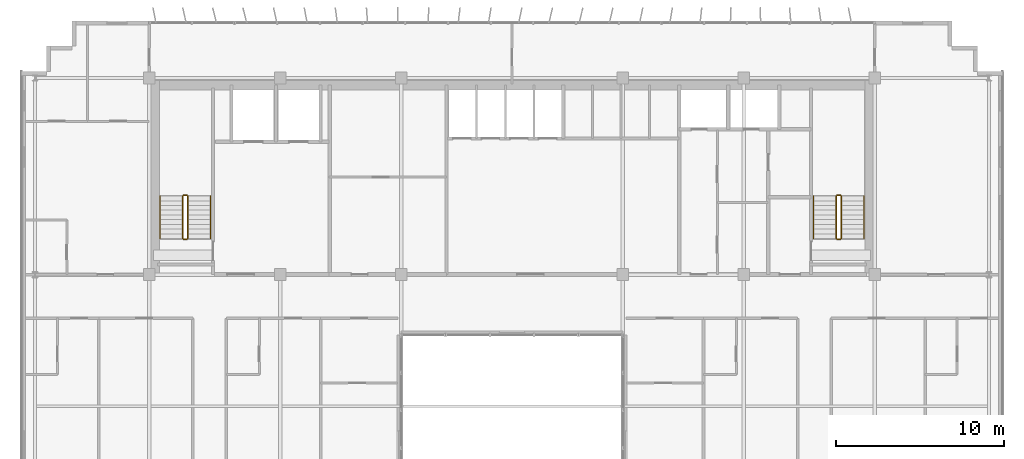
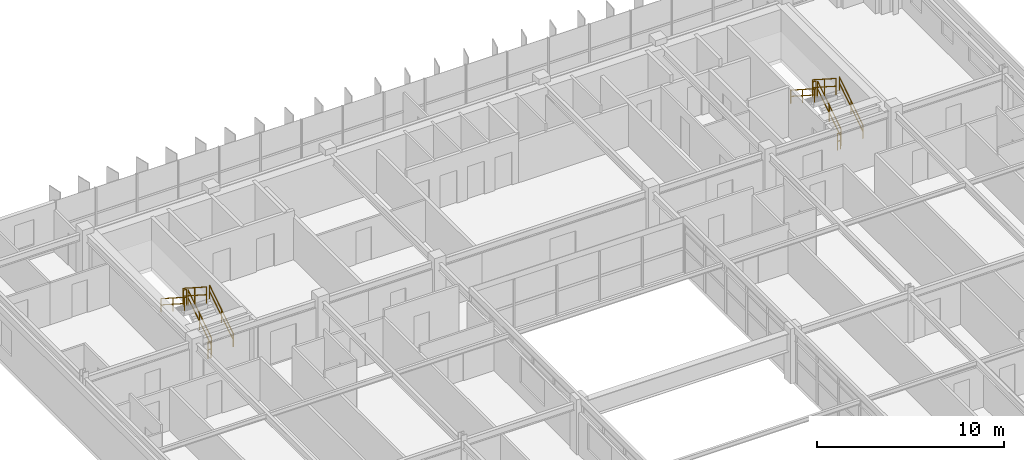
# One storey, part 37 of 37: 12 railings.
"""IFC4 building model written with IfcOpenShell, lengths in metres."""

from ifc_helpers import new_model, si_unit, direction, frame, origin, origin_2d, place, context, subcontext, project, spatial, rectangle, extrude, material, type_object, element, save


model = new_model("IFC4")

# Units and contexts
model_context = context("Model", 3, precision=1e-05, world=origin(), true_north=direction((0.0, 1.0)))
body_context = subcontext(model_context, "Body", "Model", "MODEL_VIEW")
ifc_project = project(units=[si_unit("LENGTHUNIT", "METRE"), si_unit("AREAUNIT", "SQUARE_METRE"), si_unit("VOLUMEUNIT", "CUBIC_METRE"), si_unit("PLANEANGLEUNIT", "RADIAN"), si_unit("MASSUNIT", "GRAM", prefix="KILO")], contexts=[model_context])

# Site, building, storey
site_placement = place(None, origin())
site = spatial("IfcSite", under=ifc_project, at=site_placement, CompositionType="ELEMENT")
building_placement = place(site_placement, origin())
building = spatial("IfcBuilding", under=site, at=building_placement, Name="Trelvane Seafront Commons", CompositionType="ELEMENT")
storey_placement = place(building_placement, frame((0.0, 0.0, 201.300048828125)))
storey = spatial("IfcBuildingStorey", under=building, at=storey_placement, Name="L52", CompositionType="ELEMENT", Elevation=201.300048828125)

# Railings
ifc_material = material(Name="Stainless steel balustrade", Category="steel")
railing_type_1 = type_object("IfcRailingType", Name="ARCH-SRL-GUARD", PredefinedType="GUARDRAIL", material=ifc_material)
railing_1_placement = place(storey_placement, frame((17.89990234375, 35.550048828125, 0.179931640625)))
element("IfcRailing", 1, at=railing_1_placement, inside=storey, type_object=railing_type_1, Name="L52 ST-1 stair guard 1", PredefinedType="GUARDRAIL", context=body_context, shape_type="SweptSolid", body=[
    extrude(rectangle(XDim=0.048095703125, YDim=0.048095703125, at=origin_2d()), frame((0.0, 0.0, 1.076171875), z_axis=(0.0, 0.841162588446, 0.540782303519), x_axis=(-1.0, 0.0, 0.0)), (0.0, 0.0, 1.0), 2.995849609375),
    extrude(rectangle(XDim=0.048095703125, YDim=0.048095703125, at=origin_2d()), frame((0.0, 0.0, 0.572021484375), z_axis=(0.0, 0.841162588446, 0.540782303519), x_axis=(-1.0, 0.0, 0.0)), (0.0, 0.0, 1.0), 2.995849609375),
    extrude(rectangle(XDim=0.0419921875, YDim=0.0419921875, at=origin_2d()), origin(), (0.0, 0.0, 1.0), 1.076171875),
    extrude(rectangle(XDim=0.0419921875, YDim=0.0419921875, at=origin_2d()), frame((0.0, 1.260009765625, 0.81005859375)), (0.0, 0.0, 1.0), 1.076171875),
    extrude(rectangle(XDim=0.0419921875, YDim=0.0419921875, at=origin_2d()), frame((0.0, 2.52001953125, 1.6201171875)), (0.0, 0.0, 1.0), 1.076171875),
])
railing_2_placement = place(storey_placement, frame((17.85009765625, 38.1201171875, 1.800048828125)))
element("IfcRailing", 2, at=railing_2_placement, inside=storey, type_object=railing_type_1, Name="L52 ST-1 stair guard 2", PredefinedType="GUARDRAIL", context=body_context, shape_type="SweptSolid", body=[
    extrude(rectangle(XDim=0.048095703125, YDim=0.048095703125, at=origin_2d()), frame((0.0, 0.0, 1.076171875), z_axis=(-1.0, 0.0, 0.0), x_axis=(0.0, -1.0, 0.0)), (0.0, 0.0, 1.0), 0.2001953125),
    extrude(rectangle(XDim=0.048095703125, YDim=0.048095703125, at=origin_2d()), frame((0.0, 0.0, 0.572021484375), z_axis=(-1.0, 0.0, 0.0), x_axis=(0.0, -1.0, 0.0)), (0.0, 0.0, 1.0), 0.2001953125),
    extrude(rectangle(XDim=0.0419921875, YDim=0.0419921875, at=origin_2d()), origin(), (0.0, 0.0, 1.0), 1.076171875),
    extrude(rectangle(XDim=0.0419921875, YDim=0.0419921875, at=origin_2d()), frame((-0.2001953125, 0.0, 0.0)), (0.0, 0.0, 1.0), 1.076171875),
])
railing_3_placement = place(storey_placement, frame((17.60009765625, 38.070068359375, 1.97998046875)))
element("IfcRailing", 3, at=railing_3_placement, inside=storey, type_object=railing_type_1, Name="L52 ST-1 stair guard 3", PredefinedType="GUARDRAIL", context=body_context, shape_type="SweptSolid", body=[
    extrude(rectangle(XDim=0.048095703125, YDim=0.048095703125, at=origin_2d()), frame((0.0, 0.0, 1.076171875), z_axis=(0.0, -0.841199657755, 0.540724639528), x_axis=(1.0, 0.0, 0.0)), (0.0, 0.0, 1.0), 2.995849609375),
    extrude(rectangle(XDim=0.048095703125, YDim=0.048095703125, at=origin_2d()), frame((0.0, 0.0, 0.572021484375), z_axis=(0.0, -0.841199657755, 0.540724639528), x_axis=(1.0, 0.0, 0.0)), (0.0, 0.0, 1.0), 2.995849609375),
    extrude(rectangle(XDim=0.0419921875, YDim=0.0419921875, at=origin_2d()), origin(), (0.0, 0.0, 1.0), 1.076171875),
    extrude(rectangle(XDim=0.0419921875, YDim=0.0419921875, at=origin_2d()), frame((0.0, -1.260009765625, 0.81005859375)), (0.0, 0.0, 1.0), 1.076171875),
    extrude(rectangle(XDim=0.0419921875, YDim=0.0419921875, at=origin_2d()), frame((0.0, -2.52001953125, 1.619873046875)), (0.0, 0.0, 1.0), 1.076171875),
])
railing_4_placement = place(storey_placement, frame((17.85009765625, 35.5, 0.0)))
element("IfcRailing", 4, at=railing_4_placement, inside=storey, type_object=railing_type_1, Name="L52 ST-1 stair guard 4", PredefinedType="GUARDRAIL", context=body_context, shape_type="SweptSolid", body=[
    extrude(rectangle(XDim=0.048095703125, YDim=0.048095703125, at=origin_2d()), frame((0.0, 0.0, 1.076171875), z_axis=(-1.0, 0.0, 0.0), x_axis=(0.0, -1.0, 0.0)), (0.0, 0.0, 1.0), 0.2001953125),
    extrude(rectangle(XDim=0.048095703125, YDim=0.048095703125, at=origin_2d()), frame((0.0, 0.0, 0.572021484375), z_axis=(-1.0, 0.0, 0.0), x_axis=(0.0, -1.0, 0.0)), (0.0, 0.0, 1.0), 0.2001953125),
    extrude(rectangle(XDim=0.0419921875, YDim=0.0419921875, at=origin_2d()), origin(), (0.0, 0.0, 1.0), 1.076171875),
    extrude(rectangle(XDim=0.0419921875, YDim=0.0419921875, at=origin_2d()), frame((-0.2001953125, 0.0, 0.0)), (0.0, 0.0, 1.0), 1.076171875),
])
railing_5_placement = place(storey_placement, frame((56.800048828125, 35.550048828125, 0.179931640625)))
element("IfcRailing", 5, at=railing_5_placement, inside=storey, type_object=railing_type_1, Name="L52 ST-2 stair guard 1", PredefinedType="GUARDRAIL", context=body_context, shape_type="SweptSolid", body=[
    extrude(rectangle(XDim=0.048095703125, YDim=0.048095703125, at=origin_2d()), frame((0.0, 0.0, 1.076171875), z_axis=(0.0, 0.841162588446, 0.540782303519), x_axis=(-1.0, 0.0, 0.0)), (0.0, 0.0, 1.0), 2.995849609375),
    extrude(rectangle(XDim=0.048095703125, YDim=0.048095703125, at=origin_2d()), frame((0.0, 0.0, 0.572021484375), z_axis=(0.0, 0.841162588446, 0.540782303519), x_axis=(-1.0, 0.0, 0.0)), (0.0, 0.0, 1.0), 2.995849609375),
    extrude(rectangle(XDim=0.0419921875, YDim=0.0419921875, at=origin_2d()), origin(), (0.0, 0.0, 1.0), 1.076171875),
    extrude(rectangle(XDim=0.0419921875, YDim=0.0419921875, at=origin_2d()), frame((0.0, 1.260009765625, 0.81005859375)), (0.0, 0.0, 1.0), 1.076171875),
    extrude(rectangle(XDim=0.0419921875, YDim=0.0419921875, at=origin_2d()), frame((0.0, 2.52001953125, 1.6201171875)), (0.0, 0.0, 1.0), 1.076171875),
])
railing_6_placement = place(storey_placement, frame((56.75, 38.1201171875, 1.800048828125)))
element("IfcRailing", 6, at=railing_6_placement, inside=storey, type_object=railing_type_1, Name="L52 ST-2 stair guard 2", PredefinedType="GUARDRAIL", context=body_context, shape_type="SweptSolid", body=[
    extrude(rectangle(XDim=0.048095703125, YDim=0.048095703125, at=origin_2d()), frame((0.0, 0.0, 1.076171875), z_axis=(-1.0, 0.0, 0.0), x_axis=(0.0, -1.0, 0.0)), (0.0, 0.0, 1.0), 0.199951171875),
    extrude(rectangle(XDim=0.048095703125, YDim=0.048095703125, at=origin_2d()), frame((0.0, 0.0, 0.572021484375), z_axis=(-1.0, 0.0, 0.0), x_axis=(0.0, -1.0, 0.0)), (0.0, 0.0, 1.0), 0.199951171875),
    extrude(rectangle(XDim=0.0419921875, YDim=0.0419921875, at=origin_2d()), origin(), (0.0, 0.0, 1.0), 1.076171875),
    extrude(rectangle(XDim=0.0419921875, YDim=0.0419921875, at=origin_2d()), frame((-0.199951171875, 0.0, 0.0)), (0.0, 0.0, 1.0), 1.076171875),
])
railing_7_placement = place(storey_placement, frame((56.5, 38.070068359375, 1.97998046875)))
element("IfcRailing", 7, at=railing_7_placement, inside=storey, type_object=railing_type_1, Name="L52 ST-2 stair guard 3", PredefinedType="GUARDRAIL", context=body_context, shape_type="SweptSolid", body=[
    extrude(rectangle(XDim=0.048095703125, YDim=0.048095703125, at=origin_2d()), frame((0.0, 0.0, 1.076171875), z_axis=(0.0, -0.841199657755, 0.540724639528), x_axis=(1.0, 0.0, 0.0)), (0.0, 0.0, 1.0), 2.995849609375),
    extrude(rectangle(XDim=0.048095703125, YDim=0.048095703125, at=origin_2d()), frame((0.0, 0.0, 0.572021484375), z_axis=(0.0, -0.841199657755, 0.540724639528), x_axis=(1.0, 0.0, 0.0)), (0.0, 0.0, 1.0), 2.995849609375),
    extrude(rectangle(XDim=0.0419921875, YDim=0.0419921875, at=origin_2d()), origin(), (0.0, 0.0, 1.0), 1.076171875),
    extrude(rectangle(XDim=0.0419921875, YDim=0.0419921875, at=origin_2d()), frame((0.0, -1.260009765625, 0.81005859375)), (0.0, 0.0, 1.0), 1.076171875),
    extrude(rectangle(XDim=0.0419921875, YDim=0.0419921875, at=origin_2d()), frame((0.0, -2.52001953125, 1.619873046875)), (0.0, 0.0, 1.0), 1.076171875),
])
railing_8_placement = place(storey_placement, frame((56.75, 35.5, 0.0)))
element("IfcRailing", 8, at=railing_8_placement, inside=storey, type_object=railing_type_1, Name="L52 ST-2 stair guard 4", PredefinedType="GUARDRAIL", context=body_context, shape_type="SweptSolid", body=[
    extrude(rectangle(XDim=0.048095703125, YDim=0.048095703125, at=origin_2d()), frame((0.0, 0.0, 1.076171875), z_axis=(-1.0, 0.0, 0.0), x_axis=(0.0, -1.0, 0.0)), (0.0, 0.0, 1.0), 0.199951171875),
    extrude(rectangle(XDim=0.048095703125, YDim=0.048095703125, at=origin_2d()), frame((0.0, 0.0, 0.572021484375), z_axis=(-1.0, 0.0, 0.0), x_axis=(0.0, -1.0, 0.0)), (0.0, 0.0, 1.0), 0.199951171875),
    extrude(rectangle(XDim=0.0419921875, YDim=0.0419921875, at=origin_2d()), origin(), (0.0, 0.0, 1.0), 1.076171875),
    extrude(rectangle(XDim=0.0419921875, YDim=0.0419921875, at=origin_2d()), frame((-0.199951171875, 0.0, 0.0)), (0.0, 0.0, 1.0), 1.076171875),
])
railing_type_2 = type_object("IfcRailingType", Name="ARCH-SRL-HAND", PredefinedType="HANDRAIL", material=ifc_material)
railing_9_placement = place(storey_placement, frame((19.25, 35.550048828125, 0.179931640625)))
element("IfcRailing", 9, at=railing_9_placement, inside=storey, type_object=railing_type_2, Name="L52 ST-1 stair handrail 1", PredefinedType="HANDRAIL", context=body_context, shape_type="SweptSolid", body=[
    extrude(rectangle(XDim=0.048095703125, YDim=0.048095703125, at=origin_2d()), frame((0.0, 0.0, 0.8759765625), z_axis=(0.0, 0.841162588446, 0.540782303519), x_axis=(-1.0, 0.0, 0.0)), (0.0, 0.0, 1.0), 2.995849609375),
    extrude(rectangle(XDim=0.048095703125, YDim=0.048095703125, at=origin_2d()), frame((0.0, 0.0, 0.468017578125), z_axis=(0.0, 0.841162588446, 0.540782303519), x_axis=(-1.0, 0.0, 0.0)), (0.0, 0.0, 1.0), 2.995849609375),
    extrude(rectangle(XDim=0.0419921875, YDim=0.0419921875, at=origin_2d()), origin(), (0.0, 0.0, 1.0), 0.8759765625),
    extrude(rectangle(XDim=0.0419921875, YDim=0.0419921875, at=origin_2d()), frame((0.0, 1.260009765625, 0.81005859375)), (0.0, 0.0, 1.0), 0.8759765625),
    extrude(rectangle(XDim=0.0419921875, YDim=0.0419921875, at=origin_2d()), frame((0.0, 2.52001953125, 1.6201171875)), (0.0, 0.0, 1.0), 0.8759765625),
])
railing_10_placement = place(storey_placement, frame((16.25, 38.070068359375, 1.97998046875)))
element("IfcRailing", 10, at=railing_10_placement, inside=storey, type_object=railing_type_2, Name="L52 ST-1 stair handrail 2", PredefinedType="HANDRAIL", context=body_context, shape_type="SweptSolid", body=[
    extrude(rectangle(XDim=0.048095703125, YDim=0.048095703125, at=origin_2d()), frame((0.0, 0.0, 0.8759765625), z_axis=(0.0, -0.841199657755, 0.540724639528), x_axis=(1.0, 0.0, 0.0)), (0.0, 0.0, 1.0), 2.995849609375),
    extrude(rectangle(XDim=0.048095703125, YDim=0.048095703125, at=origin_2d()), frame((0.0, 0.0, 0.468017578125), z_axis=(0.0, -0.841199657755, 0.540724639528), x_axis=(1.0, 0.0, 0.0)), (0.0, 0.0, 1.0), 2.995849609375),
    extrude(rectangle(XDim=0.0419921875, YDim=0.0419921875, at=origin_2d()), origin(), (0.0, 0.0, 1.0), 0.8759765625),
    extrude(rectangle(XDim=0.0419921875, YDim=0.0419921875, at=origin_2d()), frame((0.0, -1.260009765625, 0.81005859375)), (0.0, 0.0, 1.0), 0.8759765625),
    extrude(rectangle(XDim=0.0419921875, YDim=0.0419921875, at=origin_2d()), frame((0.0, -2.52001953125, 1.619873046875)), (0.0, 0.0, 1.0), 0.8759765625),
])
railing_11_placement = place(storey_placement, frame((58.14990234375, 35.550048828125, 0.179931640625)))
element("IfcRailing", 11, at=railing_11_placement, inside=storey, type_object=railing_type_2, Name="L52 ST-2 stair handrail 1", PredefinedType="HANDRAIL", context=body_context, shape_type="SweptSolid", body=[
    extrude(rectangle(XDim=0.048095703125, YDim=0.048095703125, at=origin_2d()), frame((0.0, 0.0, 0.8759765625), z_axis=(0.0, 0.841162588446, 0.540782303519), x_axis=(-1.0, 0.0, 0.0)), (0.0, 0.0, 1.0), 2.995849609375),
    extrude(rectangle(XDim=0.048095703125, YDim=0.048095703125, at=origin_2d()), frame((0.0, 0.0, 0.468017578125), z_axis=(0.0, 0.841162588446, 0.540782303519), x_axis=(-1.0, 0.0, 0.0)), (0.0, 0.0, 1.0), 2.995849609375),
    extrude(rectangle(XDim=0.0419921875, YDim=0.0419921875, at=origin_2d()), origin(), (0.0, 0.0, 1.0), 0.8759765625),
    extrude(rectangle(XDim=0.0419921875, YDim=0.0419921875, at=origin_2d()), frame((0.0, 1.260009765625, 0.81005859375)), (0.0, 0.0, 1.0), 0.8759765625),
    extrude(rectangle(XDim=0.0419921875, YDim=0.0419921875, at=origin_2d()), frame((0.0, 2.52001953125, 1.6201171875)), (0.0, 0.0, 1.0), 0.8759765625),
])
railing_12_placement = place(storey_placement, frame((55.14990234375, 38.070068359375, 1.97998046875)))
element("IfcRailing", 12, at=railing_12_placement, inside=storey, type_object=railing_type_2, Name="L52 ST-2 stair handrail 2", PredefinedType="HANDRAIL", context=body_context, shape_type="SweptSolid", body=[
    extrude(rectangle(XDim=0.048095703125, YDim=0.048095703125, at=origin_2d()), frame((0.0, 0.0, 0.8759765625), z_axis=(0.0, -0.841199657755, 0.540724639528), x_axis=(1.0, 0.0, 0.0)), (0.0, 0.0, 1.0), 2.995849609375),
    extrude(rectangle(XDim=0.048095703125, YDim=0.048095703125, at=origin_2d()), frame((0.0, 0.0, 0.468017578125), z_axis=(0.0, -0.841199657755, 0.540724639528), x_axis=(1.0, 0.0, 0.0)), (0.0, 0.0, 1.0), 2.995849609375),
    extrude(rectangle(XDim=0.0419921875, YDim=0.0419921875, at=origin_2d()), origin(), (0.0, 0.0, 1.0), 0.8759765625),
    extrude(rectangle(XDim=0.0419921875, YDim=0.0419921875, at=origin_2d()), frame((0.0, -1.260009765625, 0.81005859375)), (0.0, 0.0, 1.0), 0.8759765625),
    extrude(rectangle(XDim=0.0419921875, YDim=0.0419921875, at=origin_2d()), frame((0.0, -2.52001953125, 1.619873046875)), (0.0, 0.0, 1.0), 0.8759765625),
])

save(model, "model.ifc")
